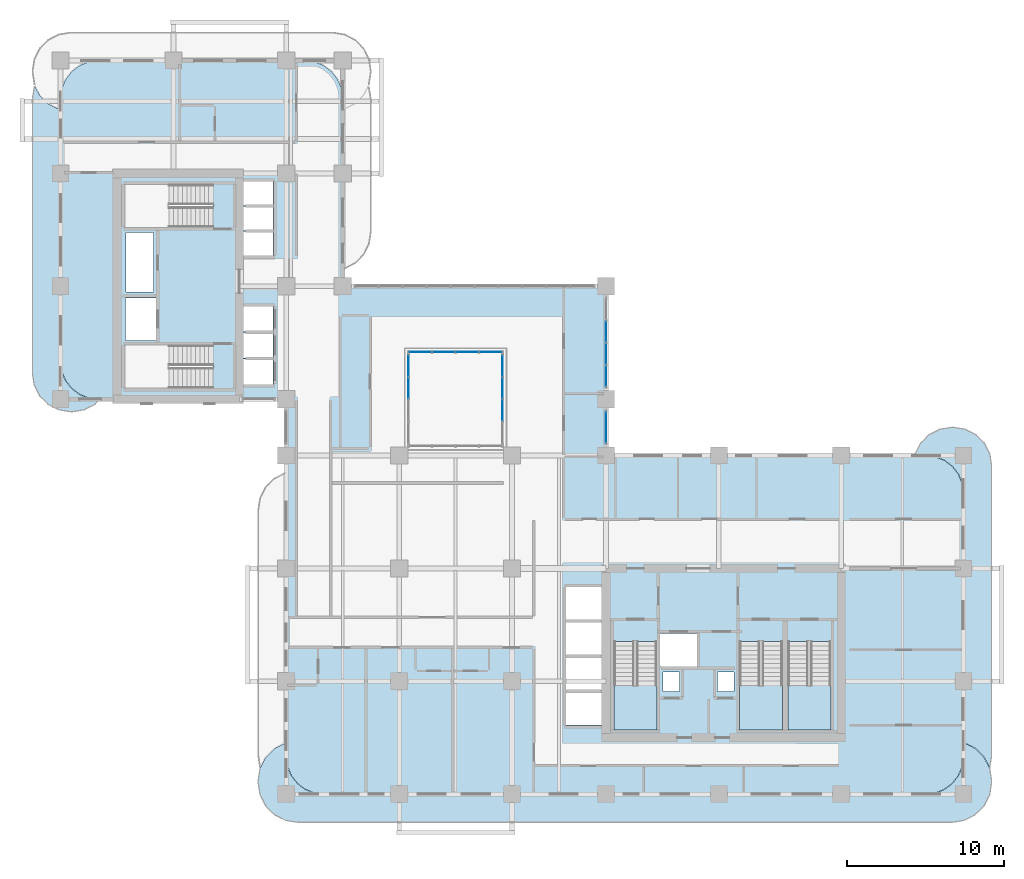
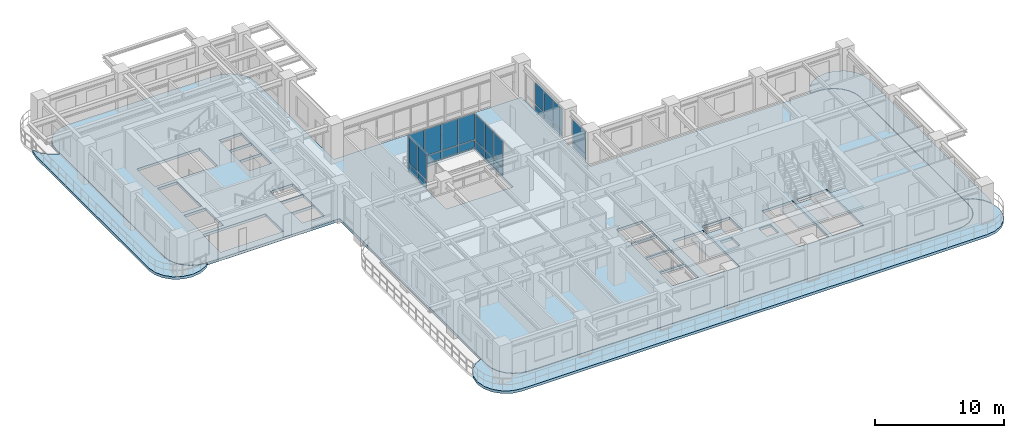
# One storey, part 10 of 22: 26 plates, 7 slabs, 8 elements without a shape of their own.
"""IFC4 building model written with IfcOpenShell, lengths in metres."""

from ifc_helpers import new_model, si_unit, derived_unit, direction, frame, origin, origin_2d, place, context, subcontext, project, spatial, polyline, rectangle, outline, extrude, source, transform, mapped, material, layer, layer_set, type_object, element, aggregate, save


model = new_model("IFC4")

# Units and contexts
model_context = context("Model", 3, precision=1e-05, world=origin(), true_north=direction((0.0, 1.0)))
body_context = subcontext(model_context, "Body", "Model", "MODEL_VIEW")
ifc_project = project(units=[si_unit("LENGTHUNIT", "METRE"), si_unit("AREAUNIT", "SQUARE_METRE"), si_unit("VOLUMEUNIT", "CUBIC_METRE"), si_unit("PLANEANGLEUNIT", "RADIAN"), si_unit("MASSUNIT", "GRAM", prefix="KILO"), si_unit("THERMODYNAMICTEMPERATUREUNIT", "KELVIN"), si_unit("POWERUNIT", "WATT"), derived_unit("THERMALTRANSMITTANCEUNIT", [(si_unit("POWERUNIT", "WATT"), 1), (si_unit("AREAUNIT", "SQUARE_METRE"), -1), (si_unit("THERMODYNAMICTEMPERATUREUNIT", "KELVIN"), -1)])], contexts=[model_context])

# Site, building, storey
site_placement = place(None, origin())
site = spatial("IfcSite", under=ifc_project, at=site_placement, CompositionType="ELEMENT")
building_placement = place(site_placement, origin())
building = spatial("IfcBuilding", under=site, at=building_placement, Name="Zahravan Archway Hotel and Residences", CompositionType="ELEMENT")
storey_placement = place(building_placement, frame((0.0, 0.0, 73.10009765625)))
storey = spatial("IfcBuildingStorey", under=building, at=storey_placement, Name="L17", CompositionType="ELEMENT", Elevation=73.10009765625)

# Slabs
ifc_material_1 = material(Name="Concrete C45/55", Category="concrete")
ifc_layer_1 = layer(ifc_material_1, 0.25, Name="Concrete C45/55", Category="concrete")
ifc_layer_set_1 = layer_set([ifc_layer_1], Name="Concrete C45/55")
slab_type_1 = type_object("IfcSlabType", Name="SLB-BALC-250", PredefinedType="FLOOR", material=ifc_layer_set_1)
slab_1_placement = place(storey_placement, frame((0.0, 0.0, -0.25)))
element("IfcSlab", 1, at=slab_1_placement, inside=storey, type_object=slab_type_1, Name="L17 Wing A South Rounded Balcony Band", PredefinedType="FLOOR", context=body_context, shape_type="SweptSolid", body=[
    extrude(outline(polyline([(57.637939453125, 3.275146484375), (58.348876953125, 2.9130859375), (58.9130859375, 2.348876953125), (59.275146484375, 1.637939453125), (59.39990234375, 0.85009765625), (59.39990234375, 0.75), (59.275146484375, -0.0380859375), (58.9130859375, -0.748779296875), (58.348876953125, -1.31298828125), (57.637939453125, -1.67529296875), (56.85009765625, -1.800048828125), (15.14990234375, -1.800048828125), (14.362060546875, -1.67529296875), (13.651123046875, -1.31298828125), (13.0869140625, -0.748779296875), (12.724853515625, -0.0380859375), (12.60009765625, 0.75), (12.60009765625, 0.85009765625), (12.724853515625, 1.637939453125), (13.0869140625, 2.348876953125), (13.651123046875, 2.9130859375), (14.362060546875, 3.275146484375), (14.3798828125, 3.278076171875), (14.3798828125, 2.39990234375), (14.380126953125, 2.3974609375), (14.4619140625, 1.776123046875), (14.46240234375, 1.7744140625), (14.462646484375, 1.772705078125), (14.46337890625, 1.77099609375), (14.702880859375, 1.1923828125), (14.703857421875, 1.19091796875), (14.70458984375, 1.189208984375), (14.70556640625, 1.187744140625), (15.0869140625, 0.690673828125), (15.088134765625, 0.689453125), (15.08935546875, 0.688232421875), (15.0908203125, 0.68701171875), (15.587890625, 0.3056640625), (15.58935546875, 0.3046875), (15.5908203125, 0.3037109375), (15.59228515625, 0.302978515625), (16.171142578125, 0.063232421875), (16.1728515625, 0.062744140625), (16.174560546875, 0.062255859375), (16.17626953125, 0.06201171875), (16.79736328125, -0.019775390625), (16.800048828125, -0.02001953125), (55.199951171875, -0.02001953125), (55.20263671875, -0.019775390625), (55.82373046875, 0.06201171875), (55.825439453125, 0.062255859375), (55.8271484375, 0.062744140625), (55.828857421875, 0.063232421875), (56.40771484375, 0.302978515625), (56.4091796875, 0.3037109375), (56.41064453125, 0.3046875), (56.412109375, 0.3056640625), (56.9091796875, 0.68701171875), (56.91064453125, 0.688232421875), (56.911865234375, 0.689453125), (56.9130859375, 0.690673828125), (57.29443359375, 1.187744140625), (57.29541015625, 1.189208984375), (57.296142578125, 1.19091796875), (57.297119140625, 1.1923828125), (57.53662109375, 1.77099609375), (57.537353515625, 1.772705078125), (57.53759765625, 1.7744140625), (57.5380859375, 1.776123046875), (57.619873046875, 2.3974609375), (57.6201171875, 2.39990234375), (57.6201171875, 3.278076171875), (57.637939453125, 3.275146484375)])), origin(), (0.0, 0.0, 1.0), 0.25),
])
slab_2_placement = place(storey_placement, frame((0.0, 0.0, -0.25)))
element("IfcSlab", 2, at=slab_2_placement, inside=storey, type_object=slab_type_1, Name="L17 Wing A East Rounded Balcony Band", PredefinedType="FLOOR", context=body_context, shape_type="SweptSolid", body=[
    extrude(outline(polyline([(54.52001953125, 21.70703125), (54.867919921875, 22.39013671875), (55.409912109375, 22.93212890625), (56.093017578125, 23.280029296875), (56.85009765625, 23.39990234375), (56.949951171875, 23.39990234375), (57.70703125, 23.280029296875), (58.39013671875, 22.93212890625), (58.93212890625, 22.39013671875), (59.280029296875, 21.70703125), (59.39990234375, 20.949951171875), (59.39990234375, 2.449951171875), (59.280029296875, 1.69287109375), (59.27490234375, 1.6826171875), (58.930908203125, 2.35791015625), (58.9296875, 2.35986328125), (58.928466796875, 2.361572265625), (58.927001953125, 2.363037109375), (58.363037109375, 2.927001953125), (58.361572265625, 2.928466796875), (58.35986328125, 2.9296875), (58.35791015625, 2.930908203125), (57.647216796875, 3.29296875), (57.645263671875, 3.2939453125), (57.643310546875, 3.29443359375), (57.64111328125, 3.294921875), (57.623046875, 3.2978515625), (57.62109375, 3.298095703125), (57.6201171875, 3.298095703125), (57.6201171875, 19.199951171875), (57.619873046875, 19.20263671875), (57.5380859375, 19.82373046875), (57.53759765625, 19.825439453125), (57.537353515625, 19.8271484375), (57.53662109375, 19.828857421875), (57.297119140625, 20.40771484375), (57.296142578125, 20.4091796875), (57.29541015625, 20.41064453125), (57.29443359375, 20.412109375), (56.9130859375, 20.9091796875), (56.911865234375, 20.91064453125), (56.91064453125, 20.911865234375), (56.9091796875, 20.9130859375), (56.412109375, 21.29443359375), (56.41064453125, 21.29541015625), (56.4091796875, 21.296142578125), (56.40771484375, 21.297119140625), (55.828857421875, 21.53662109375), (55.8271484375, 21.537353515625), (55.825439453125, 21.53759765625), (55.82373046875, 21.5380859375), (55.20263671875, 21.619873046875), (55.199951171875, 21.6201171875), (54.506103515625, 21.6201171875), (54.52001953125, 21.70703125)])), origin(), (0.0, 0.0, 1.0), 0.25),
])
slab_3_placement = place(storey_placement, frame((0.0, 0.0, -0.25)))
element("IfcSlab", 3, at=slab_3_placement, inside=storey, type_object=slab_type_1, Name="L17 Wing B West Rounded Balcony Band", PredefinedType="FLOOR", context=body_context, shape_type="SweptSolid", body=[
    extrude(outline(polyline([(2.190185546875, 24.867919921875), (1.507080078125, 24.52001953125), (0.75, 24.39990234375), (0.64990234375, 24.39990234375), (-0.107177734375, 24.52001953125), (-0.7900390625, 24.867919921875), (-1.33203125, 25.409912109375), (-1.68017578125, 26.093017578125), (-1.800048828125, 26.85009765625), (-1.800048828125, 44.35009765625), (-1.68017578125, 45.107177734375), (-1.64404296875, 45.177978515625), (-1.349853515625, 44.600830078125), (-1.348876953125, 44.59912109375), (-1.34765625, 44.597412109375), (-1.34619140625, 44.595703125), (-0.80419921875, 44.0537109375), (-0.802734375, 44.052490234375), (-0.801025390625, 44.051025390625), (-0.79931640625, 44.050048828125), (-0.1162109375, 43.7021484375), (-0.1142578125, 43.701171875), (-0.1123046875, 43.70068359375), (-0.110107421875, 43.7001953125), (-0.023193359375, 43.686279296875), (-0.021240234375, 43.68603515625), (-0.02001953125, 43.68603515625), (-0.02001953125, 27.60009765625), (-0.019775390625, 27.597412109375), (0.06201171875, 26.976318359375), (0.062255859375, 26.974609375), (0.062744140625, 26.972900390625), (0.063232421875, 26.97119140625), (0.302978515625, 26.392333984375), (0.3037109375, 26.390869140625), (0.3046875, 26.389404296875), (0.3056640625, 26.3876953125), (0.68701171875, 25.890625), (0.688232421875, 25.889404296875), (0.689453125, 25.88818359375), (0.690673828125, 25.886962890625), (1.187744140625, 25.505615234375), (1.189208984375, 25.504638671875), (1.19091796875, 25.50390625), (1.1923828125, 25.5029296875), (1.77099609375, 25.26318359375), (1.772705078125, 25.2626953125), (1.7744140625, 25.26220703125), (1.776123046875, 25.261962890625), (2.3974609375, 25.18017578125), (2.39990234375, 25.179931640625), (2.502197265625, 25.179931640625), (2.190185546875, 24.867919921875)])), origin(), (0.0, 0.0, 1.0), 0.25),
])
ifc_layer_2 = layer(ifc_material_1, 0.25, Name="Concrete C45/55", Category="concrete")
ifc_layer_set_2 = layer_set([ifc_layer_2], Name="Concrete C45/55")
slab_type_2 = type_object("IfcSlabType", Name="SLB-FLR-250", PredefinedType="FLOOR", material=ifc_layer_set_2)
slab_4_placement = place(storey_placement, frame((0.0, 0.0, -0.25)))
element("IfcSlab", 4, at=slab_4_placement, inside=storey, type_object=slab_type_2, Name="L17 Floor Slab LB", PredefinedType="FLOOR", context=body_context, shape_type="SweptSolid", body=[
    extrude(outline(polyline([(34.800048828125, 21.60009765625), (34.800048828125, 32.39990234375), (18.0, 32.39990234375), (18.0, 44.39990234375), (17.918212890625, 45.021240234375), (17.678466796875, 45.60009765625), (17.297119140625, 46.09716796875), (16.800048828125, 46.478515625), (16.22119140625, 46.71826171875), (15.60009765625, 46.800048828125), (2.39990234375, 46.800048828125), (1.77880859375, 46.71826171875), (1.199951171875, 46.478515625), (0.702880859375, 46.09716796875), (0.321533203125, 45.60009765625), (0.081787109375, 45.021240234375), (0.0, 44.39990234375), (0.0, 27.60009765625), (0.081787109375, 26.978759765625), (0.321533203125, 26.39990234375), (0.702880859375, 25.90283203125), (1.199951171875, 25.521484375), (1.77880859375, 25.28173828125), (2.39990234375, 25.199951171875), (14.39990234375, 25.199951171875), (14.39990234375, 19.199951171875), (14.39990234375, 19.10009765625), (14.39990234375, 2.39990234375), (14.481689453125, 1.77880859375), (14.721435546875, 1.199951171875), (15.102783203125, 0.702880859375), (15.60009765625, 0.321533203125), (16.1787109375, 0.081787109375), (16.800048828125, 0.0), (55.199951171875, 0.0), (55.8212890625, 0.081787109375), (56.39990234375, 0.321533203125), (56.897216796875, 0.702880859375), (57.278564453125, 1.199951171875), (57.518310546875, 1.77880859375), (57.60009765625, 2.39990234375), (57.60009765625, 19.199951171875), (57.518310546875, 19.8212890625), (57.278564453125, 20.39990234375), (56.897216796875, 20.897216796875), (56.39990234375, 21.278564453125), (55.8212890625, 21.518310546875), (55.199951171875, 21.60009765625), (34.800048828125, 21.60009765625)]), holes=[polyline([(35.300048828125, 9.72998046875), (35.300048828125, 4.10009765625), (38.0400390625, 4.10009765625), (38.0400390625, 9.72998046875), (35.300048828125, 9.72998046875)]), polyline([(43.320068359375, 9.72998046875), (43.320068359375, 4.10009765625), (46.06005859375, 4.10009765625), (46.06005859375, 9.72998046875), (43.320068359375, 9.72998046875)]), polyline([(46.39990234375, 9.72998046875), (46.39990234375, 4.10009765625), (49.139892578125, 4.10009765625), (49.139892578125, 9.72998046875), (46.39990234375, 9.72998046875)]), polyline([(9.72998046875, 28.639892578125), (4.10009765625, 28.639892578125), (4.10009765625, 25.89990234375), (9.72998046875, 25.89990234375), (9.72998046875, 28.639892578125)]), polyline([(9.72998046875, 38.89990234375), (4.10009765625, 38.89990234375), (4.10009765625, 36.159912109375), (9.72998046875, 36.159912109375), (9.72998046875, 38.89990234375)]), polyline([(38.179931640625, 8.14990234375), (40.699951171875, 8.14990234375), (40.699951171875, 10.25), (38.179931640625, 10.25), (38.179931640625, 8.14990234375)]), polyline([(4.14990234375, 28.949951171875), (6.10009765625, 28.949951171875), (6.10009765625, 31.64990234375), (4.14990234375, 31.64990234375), (4.14990234375, 28.949951171875)]), polyline([(11.550048828125, 26.14990234375), (13.550048828125, 26.14990234375), (13.550048828125, 27.75), (11.550048828125, 27.75), (11.550048828125, 26.14990234375)]), polyline([(11.550048828125, 27.830078125), (13.550048828125, 27.830078125), (13.550048828125, 29.429931640625), (11.550048828125, 29.429931640625), (11.550048828125, 27.830078125)]), polyline([(11.550048828125, 29.510009765625), (13.550048828125, 29.510009765625), (13.550048828125, 31.110107421875), (11.550048828125, 31.110107421875), (11.550048828125, 29.510009765625)]), polyline([(11.550048828125, 34.35009765625), (13.550048828125, 34.35009765625), (13.550048828125, 35.889892578125), (11.550048828125, 35.889892578125), (11.550048828125, 34.35009765625)]), polyline([(11.550048828125, 35.949951171875), (13.550048828125, 35.949951171875), (13.550048828125, 37.489990234375), (11.550048828125, 37.489990234375), (11.550048828125, 35.949951171875)]), polyline([(11.550048828125, 37.550048828125), (13.550048828125, 37.550048828125), (13.550048828125, 39.090087890625), (11.550048828125, 39.090087890625), (11.550048828125, 37.550048828125)]), polyline([(32.25, 4.39990234375), (34.550048828125, 4.39990234375), (34.550048828125, 6.47998046875), (32.25, 6.47998046875), (32.25, 4.39990234375)]), polyline([(32.25, 6.639892578125), (34.550048828125, 6.639892578125), (34.550048828125, 8.719970703125), (32.25, 8.719970703125), (32.25, 6.639892578125)]), polyline([(32.25, 8.8798828125), (34.550048828125, 8.8798828125), (34.550048828125, 10.9599609375), (32.25, 10.9599609375), (32.25, 8.8798828125)]), polyline([(32.25, 11.1201171875), (34.550048828125, 11.1201171875), (34.550048828125, 13.199951171875), (32.25, 13.199951171875), (32.25, 11.1201171875)]), polyline([(22.199951171875, 22.199951171875), (28.199951171875, 22.199951171875), (28.199951171875, 28.199951171875), (22.199951171875, 28.199951171875), (22.199951171875, 22.199951171875)]), polyline([(38.419921875, 6.56005859375), (39.5, 6.56005859375), (39.5, 7.780029296875), (38.419921875, 7.780029296875), (38.419921875, 6.56005859375)]), polyline([(41.89990234375, 6.56005859375), (42.9599609375, 6.56005859375), (42.9599609375, 7.780029296875), (41.89990234375, 7.780029296875), (41.89990234375, 6.56005859375)]), polyline([(4.179931640625, 32.050048828125), (5.93994140625, 32.050048828125), (5.93994140625, 35.840087890625), (4.179931640625, 35.840087890625), (4.179931640625, 32.050048828125)])]), origin(), (0.0, 0.0, 1.0), 0.25),
])

# Stair, slab
ifc_material_2 = material(Name="Concrete C50/60", Category="concrete")
stair_type = type_object("IfcStairType", Name="STR-CORE-1300", PredefinedType="HALF_TURN_STAIR", material=ifc_material_2)
stair_1_placement = place(storey_placement, origin())
stair_1 = element("IfcStair", 5, at=stair_1_placement, inside=storey, type_object=stair_type, Name="L17 Core A Exit Stair 1", PredefinedType="HALF_TURN_STAIR")
ifc_layer_3 = layer(ifc_material_2, 0.199951171875, Name="Concrete C50/60", Category="concrete")
ifc_layer_set_3 = layer_set([ifc_layer_3], Name="Concrete C50/60")
slab_type_3 = type_object("IfcSlabType", Name="SLB-LND-200", PredefinedType="LANDING", material=ifc_layer_set_3)
slab_5_placement = place(storey_placement, frame((0.0, 0.0, 1.64990234375)))
slab_5 = element("IfcSlab", 6, at=slab_5_placement, type_object=slab_type_3, Name="ST-A1 landing 1", PredefinedType="LANDING", context=body_context, shape_type="SweptSolid", body=[
    extrude(outline(polyline([(35.300048828125, 6.929931640625), (35.300048828125, 4.10009765625), (38.0400390625, 4.10009765625), (38.0400390625, 6.929931640625), (35.300048828125, 6.929931640625)])), origin(), (0.0, 0.0, 1.0), 0.199951171875),
])
aggregate(stair_1, [slab_5])

stair_2_placement = place(storey_placement, origin())
stair_2 = element("IfcStair", 7, at=stair_2_placement, inside=storey, type_object=stair_type, Name="L17 Core A Exit Stair 2", PredefinedType="HALF_TURN_STAIR")
slab_6_placement = place(storey_placement, frame((0.0, 0.0, 1.64990234375)))
slab_6 = element("IfcSlab", 8, at=slab_6_placement, type_object=slab_type_3, Name="ST-A2 landing 1", PredefinedType="LANDING", context=body_context, shape_type="SweptSolid", body=[
    extrude(outline(polyline([(43.320068359375, 6.929931640625), (43.320068359375, 4.10009765625), (46.06005859375, 4.10009765625), (46.06005859375, 6.929931640625), (43.320068359375, 6.929931640625)])), origin(), (0.0, 0.0, 1.0), 0.199951171875),
])
aggregate(stair_2, [slab_6])

stair_3_placement = place(storey_placement, origin())
stair_3 = element("IfcStair", 9, at=stair_3_placement, inside=storey, type_object=stair_type, Name="L17 Core A Exit Stair 3", PredefinedType="HALF_TURN_STAIR")
slab_7_placement = place(storey_placement, frame((0.0, 0.0, 1.64990234375)))
slab_7 = element("IfcSlab", 10, at=slab_7_placement, type_object=slab_type_3, Name="ST-A3 landing 1", PredefinedType="LANDING", context=body_context, shape_type="SweptSolid", body=[
    extrude(outline(polyline([(46.39990234375, 6.929931640625), (46.39990234375, 4.10009765625), (49.139892578125, 4.10009765625), (49.139892578125, 6.929931640625), (46.39990234375, 6.929931640625)])), origin(), (0.0, 0.0, 1.0), 0.199951171875),
])
aggregate(stair_3, [slab_7])

# Curtain wall, plates
ifc_material_3 = material(Name="Bronze-Anodized Unitised Aluminium & Low-E Glass", Category="aluminium")
ifc_layer_4 = layer(ifc_material_3, 0.179931640625, Name="Bronze-Anodized Unitised Aluminium & Low-E Glass", Category="aluminium")
ifc_layer_set_4 = layer_set([ifc_layer_4], Name="Bronze-Anodized Unitised Aluminium & Low-E Glass")
curtain_wall_type = type_object("IfcCurtainWallType", Name="CW-ATR-GLAZ", PredefinedType="NOTDEFINED", material=ifc_layer_set_4)
curtain_wall_1_placement = place(storey_placement, origin())
curtain_wall_1 = element("IfcCurtainWall", 11, at=curtain_wall_1_placement, inside=storey, type_object=curtain_wall_type, Name="L17 Curtain Wall CW-L17-HNG-E-2", PredefinedType="NOTDEFINED")
ifc_material_4 = material(Name="Insulated Terracotta Spandrel Panel", Category="masonry")
ifc_layer_5 = layer(ifc_material_4, 0.0400390625, Name="Insulated Terracotta Spandrel Panel", Category="masonry")
ifc_layer_set_5 = layer_set([ifc_layer_5], Name="Insulated Terracotta Spandrel Panel")
plate_type_1 = type_object("IfcPlateType", Name="CWP-SPN-40", PredefinedType="SHEET", material=ifc_layer_set_5)
shared_shape_1 = source(origin(), body_context, "Body", "SweptSolid", [
    extrude(rectangle(XDim=1.340087890625, YDim=0.0400390625, at=origin_2d()), origin(), (0.0, 0.0, 1.0), 0.552490234375),
])
plate_1_placement = place(storey_placement, frame((34.800048828125, 26.669921875, 0.10009765625), z_axis=(0.0, 0.0, 1.0), x_axis=(0.0, 1.0, 0.0)))
plate_1 = element("IfcPlate", 12, at=plate_1_placement, type_object=plate_type_1, Name="CW-L17-HNG-E-2 Spandrel Panel 0", PredefinedType="SHEET", context=body_context, shape_type="MappedRepresentation", body=[
    mapped(shared_shape_1, transform((0.0, 0.0, 0.0), scale=1.0)),
])
plate_2_placement = place(storey_placement, frame((34.800048828125, 28.090087890625, 0.10009765625), z_axis=(0.0, 0.0, 1.0), x_axis=(0.0, 1.0, 0.0)))
plate_2 = element("IfcPlate", 13, at=plate_2_placement, type_object=plate_type_1, Name="CW-L17-HNG-E-2 Spandrel Panel 1", PredefinedType="SHEET", context=body_context, shape_type="MappedRepresentation", body=[
    mapped(shared_shape_1, transform((0.0, 0.0, 0.0), scale=1.0)),
])
plate_3_placement = place(storey_placement, frame((34.800048828125, 29.510009765625, 0.10009765625), z_axis=(0.0, 0.0, 1.0), x_axis=(0.0, 1.0, 0.0)))
plate_3 = element("IfcPlate", 14, at=plate_3_placement, type_object=plate_type_1, Name="CW-L17-HNG-E-2 Spandrel Panel 2", PredefinedType="SHEET", context=body_context, shape_type="MappedRepresentation", body=[
    mapped(shared_shape_1, transform((0.0, 0.0, 0.0), scale=1.0)),
])
ifc_material_5 = material(Name="Double-Silver Low-E Insulated Vision Glass", Category="glass")
ifc_layer_6 = layer(ifc_material_5, 0.028076171875, Name="Double-Silver Low-E Insulated Vision Glass", Category="glass")
ifc_layer_set_6 = layer_set([ifc_layer_6], Name="Double-Silver Low-E Insulated Vision Glass")
plate_type_2 = type_object("IfcPlateType", Name="CWP-GLZ-28", PredefinedType="CURTAIN_PANEL", material=ifc_layer_set_6)
shared_shape_2 = source(origin(), body_context, "Body", "SweptSolid", [
    extrude(rectangle(XDim=1.340087890625, YDim=0.028076171875, at=origin_2d()), origin(), (0.0, 0.0, 1.0), 2.052490234375),
])
plate_4_placement = place(storey_placement, frame((34.800048828125, 26.669921875, 0.732421875), z_axis=(0.0, 0.0, 1.0), x_axis=(0.0, 1.0, 0.0)))
plate_4 = element("IfcPlate", 15, at=plate_4_placement, type_object=plate_type_2, Name="CW-L17-HNG-E-2 Low-E Vision Panel 0", PredefinedType="CURTAIN_PANEL", context=body_context, shape_type="MappedRepresentation", body=[
    mapped(shared_shape_2, transform((0.0, 0.0, 0.0), scale=1.0)),
])
plate_5_placement = place(storey_placement, frame((34.800048828125, 28.090087890625, 0.732421875), z_axis=(0.0, 0.0, 1.0), x_axis=(0.0, 1.0, 0.0)))
plate_5 = element("IfcPlate", 16, at=plate_5_placement, type_object=plate_type_2, Name="CW-L17-HNG-E-2 Low-E Vision Panel 1", PredefinedType="CURTAIN_PANEL", context=body_context, shape_type="MappedRepresentation", body=[
    mapped(shared_shape_2, transform((0.0, 0.0, 0.0), scale=1.0)),
])
plate_6_placement = place(storey_placement, frame((34.800048828125, 29.510009765625, 0.732421875), z_axis=(0.0, 0.0, 1.0), x_axis=(0.0, 1.0, 0.0)))
plate_6 = element("IfcPlate", 17, at=plate_6_placement, type_object=plate_type_2, Name="CW-L17-HNG-E-2 Low-E Vision Panel 2", PredefinedType="CURTAIN_PANEL", context=body_context, shape_type="MappedRepresentation", body=[
    mapped(shared_shape_2, transform((0.0, 0.0, 0.0), scale=1.0)),
])
aggregate(curtain_wall_1, [plate_1, plate_4, plate_2, plate_5, plate_3, plate_6])

curtain_wall_2_placement = place(storey_placement, origin())
curtain_wall_2 = element("IfcCurtainWall", 18, at=curtain_wall_2_placement, inside=storey, type_object=curtain_wall_type, Name="L17 Curtain Wall CW-L17-HNG-E-1", PredefinedType="NOTDEFINED")
shared_shape_3 = source(origin(), body_context, "Body", "SweptSolid", [
    extrude(rectangle(XDim=2.0, YDim=0.0400390625, at=origin_2d()), origin(), (0.0, 0.0, 1.0), 0.552490234375),
])
plate_7_placement = place(storey_placement, frame((34.800048828125, 23.39990234375, 0.10009765625), z_axis=(0.0, 0.0, 1.0), x_axis=(0.0, 1.0, 0.0)))
plate_7 = element("IfcPlate", 19, at=plate_7_placement, type_object=plate_type_1, Name="CW-L17-HNG-E-1 Spandrel Panel 0", PredefinedType="SHEET", context=body_context, shape_type="MappedRepresentation", body=[
    mapped(shared_shape_3, transform((0.0, 0.0, 0.0), scale=1.0)),
])
shared_shape_4 = source(origin(), body_context, "Body", "SweptSolid", [
    extrude(rectangle(XDim=2.0, YDim=0.028076171875, at=origin_2d()), origin(), (0.0, 0.0, 1.0), 2.052490234375),
])
plate_8_placement = place(storey_placement, frame((34.800048828125, 23.39990234375, 0.732421875), z_axis=(0.0, 0.0, 1.0), x_axis=(0.0, 1.0, 0.0)))
plate_8 = element("IfcPlate", 20, at=plate_8_placement, type_object=plate_type_2, Name="CW-L17-HNG-E-1 Low-E Vision Panel 0", PredefinedType="CURTAIN_PANEL", context=body_context, shape_type="MappedRepresentation", body=[
    mapped(shared_shape_4, transform((0.0, 0.0, 0.0), scale=1.0)),
])
aggregate(curtain_wall_2, [plate_7, plate_8])

curtain_wall_3_placement = place(storey_placement, origin())
curtain_wall_3 = element("IfcCurtainWall", 21, at=curtain_wall_3_placement, inside=storey, type_object=curtain_wall_type, Name="L17 Curtain Wall CW-ATR-L17-N-1", PredefinedType="NOTDEFINED")
shared_shape_5 = source(origin(), body_context, "Body", "SweptSolid", [
    extrude(rectangle(XDim=1.419921875, YDim=0.0400390625, at=origin_2d()), origin(), (0.0, 0.0, 1.0), 0.68798828125),
])
plate_9_placement = place(storey_placement, frame((22.949951171875, 28.199951171875, 0.099853515625), z_axis=(0.0, 0.0, 1.0), x_axis=(1.0, 0.0, 0.0)))
plate_9 = element("IfcPlate", 22, at=plate_9_placement, type_object=plate_type_1, Name="CW-ATR-L17-N-1 Spandrel Panel 0", PredefinedType="SHEET", context=body_context, shape_type="MappedRepresentation", body=[
    mapped(shared_shape_5, transform((0.0, 0.0, 0.0), scale=1.0)),
])
plate_10_placement = place(storey_placement, frame((24.449951171875, 28.199951171875, 0.099853515625), z_axis=(0.0, 0.0, 1.0), x_axis=(1.0, 0.0, 0.0)))
plate_10 = element("IfcPlate", 23, at=plate_10_placement, type_object=plate_type_1, Name="CW-ATR-L17-N-1 Spandrel Panel 1", PredefinedType="SHEET", context=body_context, shape_type="MappedRepresentation", body=[
    mapped(shared_shape_5, transform((0.0, 0.0, 0.0), scale=1.0)),
])
plate_11_placement = place(storey_placement, frame((25.949951171875, 28.199951171875, 0.099853515625), z_axis=(0.0, 0.0, 1.0), x_axis=(1.0, 0.0, 0.0)))
plate_11 = element("IfcPlate", 24, at=plate_11_placement, type_object=plate_type_1, Name="CW-ATR-L17-N-1 Spandrel Panel 2", PredefinedType="SHEET", context=body_context, shape_type="MappedRepresentation", body=[
    mapped(shared_shape_5, transform((0.0, 0.0, 0.0), scale=1.0)),
])
plate_12_placement = place(storey_placement, frame((27.449951171875, 28.199951171875, 0.099853515625), z_axis=(0.0, 0.0, 1.0), x_axis=(1.0, 0.0, 0.0)))
plate_12 = element("IfcPlate", 25, at=plate_12_placement, type_object=plate_type_1, Name="CW-ATR-L17-N-1 Spandrel Panel 3", PredefinedType="SHEET", context=body_context, shape_type="MappedRepresentation", body=[
    mapped(shared_shape_5, transform((0.0, 0.0, 0.0), scale=1.0)),
])
shared_shape_6 = source(origin(), body_context, "Body", "SweptSolid", [
    extrude(rectangle(XDim=1.419921875, YDim=0.028076171875, at=origin_2d()), origin(), (0.0, 0.0, 1.0), 2.48193359375),
])
plate_13_placement = place(storey_placement, frame((22.949951171875, 28.199951171875, 0.867919921875), z_axis=(0.0, 0.0, 1.0), x_axis=(1.0, 0.0, 0.0)))
plate_13 = element("IfcPlate", 26, at=plate_13_placement, type_object=plate_type_2, Name="CW-ATR-L17-N-1 Low-E Vision Panel 0", PredefinedType="CURTAIN_PANEL", context=body_context, shape_type="MappedRepresentation", body=[
    mapped(shared_shape_6, transform((0.0, 0.0, 0.0), scale=1.0)),
])
plate_14_placement = place(storey_placement, frame((24.449951171875, 28.199951171875, 0.867919921875), z_axis=(0.0, 0.0, 1.0), x_axis=(1.0, 0.0, 0.0)))
plate_14 = element("IfcPlate", 27, at=plate_14_placement, type_object=plate_type_2, Name="CW-ATR-L17-N-1 Low-E Vision Panel 1", PredefinedType="CURTAIN_PANEL", context=body_context, shape_type="MappedRepresentation", body=[
    mapped(shared_shape_6, transform((0.0, 0.0, 0.0), scale=1.0)),
])
plate_15_placement = place(storey_placement, frame((25.949951171875, 28.199951171875, 0.867919921875), z_axis=(0.0, 0.0, 1.0), x_axis=(1.0, 0.0, 0.0)))
plate_15 = element("IfcPlate", 28, at=plate_15_placement, type_object=plate_type_2, Name="CW-ATR-L17-N-1 Low-E Vision Panel 2", PredefinedType="CURTAIN_PANEL", context=body_context, shape_type="MappedRepresentation", body=[
    mapped(shared_shape_6, transform((0.0, 0.0, 0.0), scale=1.0)),
])
plate_16_placement = place(storey_placement, frame((27.449951171875, 28.199951171875, 0.867919921875), z_axis=(0.0, 0.0, 1.0), x_axis=(1.0, 0.0, 0.0)))
plate_16 = element("IfcPlate", 29, at=plate_16_placement, type_object=plate_type_2, Name="CW-ATR-L17-N-1 Low-E Vision Panel 3", PredefinedType="CURTAIN_PANEL", context=body_context, shape_type="MappedRepresentation", body=[
    mapped(shared_shape_6, transform((0.0, 0.0, 0.0), scale=1.0)),
])
aggregate(curtain_wall_3, [plate_9, plate_13, plate_10, plate_14, plate_11, plate_15, plate_12, plate_16])

curtain_wall_4_placement = place(storey_placement, origin())
curtain_wall_4 = element("IfcCurtainWall", 30, at=curtain_wall_4_placement, inside=storey, type_object=curtain_wall_type, Name="L17 Curtain Wall CW-ATR-L17-W-1", PredefinedType="NOTDEFINED")
shared_shape_7 = source(origin(), body_context, "Body", "SweptSolid", [
    extrude(rectangle(XDim=1.344970703125, YDim=0.0400390625, at=origin_2d()), origin(), (0.0, 0.0, 1.0), 0.68798828125),
])
plate_17_placement = place(storey_placement, frame((22.199951171875, 25.91259765625, 0.099853515625), z_axis=(0.0, 0.0, 1.0), x_axis=(0.0, 1.0, 0.0)))
plate_17 = element("IfcPlate", 31, at=plate_17_placement, type_object=plate_type_1, Name="CW-ATR-L17-W-1 Spandrel Panel 2", PredefinedType="SHEET", context=body_context, shape_type="MappedRepresentation", body=[
    mapped(shared_shape_7, transform((0.0, 0.0, 0.0), scale=1.0)),
])
plate_18_placement = place(storey_placement, frame((22.199951171875, 27.33740234375, 0.099853515625), z_axis=(0.0, 0.0, 1.0), x_axis=(0.0, 1.0, 0.0)))
plate_18 = element("IfcPlate", 32, at=plate_18_placement, type_object=plate_type_1, Name="CW-ATR-L17-W-1 Spandrel Panel 3", PredefinedType="SHEET", context=body_context, shape_type="MappedRepresentation", body=[
    mapped(shared_shape_7, transform((0.0, 0.0, 0.0), scale=1.0)),
])

curtain_wall_5_placement = place(storey_placement, origin())
curtain_wall_5 = element("IfcCurtainWall", 33, at=curtain_wall_5_placement, inside=storey, type_object=curtain_wall_type, Name="L17 Curtain Wall CW-ATR-L17-E-1", PredefinedType="NOTDEFINED")
plate_19_placement = place(storey_placement, frame((28.199951171875, 24.487548828125, 0.099853515625), z_axis=(0.0, 0.0, 1.0), x_axis=(0.0, 1.0, 0.0)))
plate_19 = element("IfcPlate", 34, at=plate_19_placement, type_object=plate_type_1, Name="CW-ATR-L17-E-1 Spandrel Panel 1", PredefinedType="SHEET", context=body_context, shape_type="MappedRepresentation", body=[
    mapped(shared_shape_7, transform((0.0, 0.0, 0.0), scale=1.0)),
])
plate_20_placement = place(storey_placement, frame((28.199951171875, 25.91259765625, 0.099853515625), z_axis=(0.0, 0.0, 1.0), x_axis=(0.0, 1.0, 0.0)))
plate_20 = element("IfcPlate", 35, at=plate_20_placement, type_object=plate_type_1, Name="CW-ATR-L17-E-1 Spandrel Panel 2", PredefinedType="SHEET", context=body_context, shape_type="MappedRepresentation", body=[
    mapped(shared_shape_7, transform((0.0, 0.0, 0.0), scale=1.0)),
])
plate_21_placement = place(storey_placement, frame((28.199951171875, 27.33740234375, 0.099853515625), z_axis=(0.0, 0.0, 1.0), x_axis=(0.0, 1.0, 0.0)))
plate_21 = element("IfcPlate", 36, at=plate_21_placement, type_object=plate_type_1, Name="CW-ATR-L17-E-1 Spandrel Panel 3", PredefinedType="SHEET", context=body_context, shape_type="MappedRepresentation", body=[
    mapped(shared_shape_7, transform((0.0, 0.0, 0.0), scale=1.0)),
])

# Plate
shared_shape_8 = source(origin(), body_context, "Body", "SweptSolid", [
    extrude(rectangle(XDim=1.344970703125, YDim=0.028076171875, at=origin_2d()), origin(), (0.0, 0.0, 1.0), 2.48193359375),
])
plate_22_placement = place(storey_placement, frame((22.199951171875, 25.91259765625, 0.867919921875), z_axis=(0.0, 0.0, 1.0), x_axis=(0.0, 1.0, 0.0)))
plate_22 = element("IfcPlate", 37, at=plate_22_placement, type_object=plate_type_2, Name="CW-ATR-L17-W-1 Low-E Vision Panel 2", PredefinedType="CURTAIN_PANEL", context=body_context, shape_type="MappedRepresentation", body=[
    mapped(shared_shape_8, transform((0.0, 0.0, 0.0), scale=1.0)),
])

plate_23_placement = place(storey_placement, frame((22.199951171875, 27.33740234375, 0.867919921875), z_axis=(0.0, 0.0, 1.0), x_axis=(0.0, 1.0, 0.0)))
plate_23 = element("IfcPlate", 38, at=plate_23_placement, type_object=plate_type_2, Name="CW-ATR-L17-W-1 Low-E Vision Panel 3", PredefinedType="CURTAIN_PANEL", context=body_context, shape_type="MappedRepresentation", body=[
    mapped(shared_shape_8, transform((0.0, 0.0, 0.0), scale=1.0)),
])

aggregate(curtain_wall_4, [plate_17, plate_22, plate_18, plate_23])

plate_24_placement = place(storey_placement, frame((28.199951171875, 24.487548828125, 0.867919921875), z_axis=(0.0, 0.0, 1.0), x_axis=(0.0, 1.0, 0.0)))
plate_24 = element("IfcPlate", 39, at=plate_24_placement, type_object=plate_type_2, Name="CW-ATR-L17-E-1 Low-E Vision Panel 1", PredefinedType="CURTAIN_PANEL", context=body_context, shape_type="MappedRepresentation", body=[
    mapped(shared_shape_8, transform((0.0, 0.0, 0.0), scale=1.0)),
])

plate_25_placement = place(storey_placement, frame((28.199951171875, 25.91259765625, 0.867919921875), z_axis=(0.0, 0.0, 1.0), x_axis=(0.0, 1.0, 0.0)))
plate_25 = element("IfcPlate", 40, at=plate_25_placement, type_object=plate_type_2, Name="CW-ATR-L17-E-1 Low-E Vision Panel 2", PredefinedType="CURTAIN_PANEL", context=body_context, shape_type="MappedRepresentation", body=[
    mapped(shared_shape_8, transform((0.0, 0.0, 0.0), scale=1.0)),
])

plate_26_placement = place(storey_placement, frame((28.199951171875, 27.33740234375, 0.867919921875), z_axis=(0.0, 0.0, 1.0), x_axis=(0.0, 1.0, 0.0)))
plate_26 = element("IfcPlate", 41, at=plate_26_placement, type_object=plate_type_2, Name="CW-ATR-L17-E-1 Low-E Vision Panel 3", PredefinedType="CURTAIN_PANEL", context=body_context, shape_type="MappedRepresentation", body=[
    mapped(shared_shape_8, transform((0.0, 0.0, 0.0), scale=1.0)),
])

aggregate(curtain_wall_5, [plate_19, plate_24, plate_20, plate_25, plate_21, plate_26])

save(model, "model.ifc")
